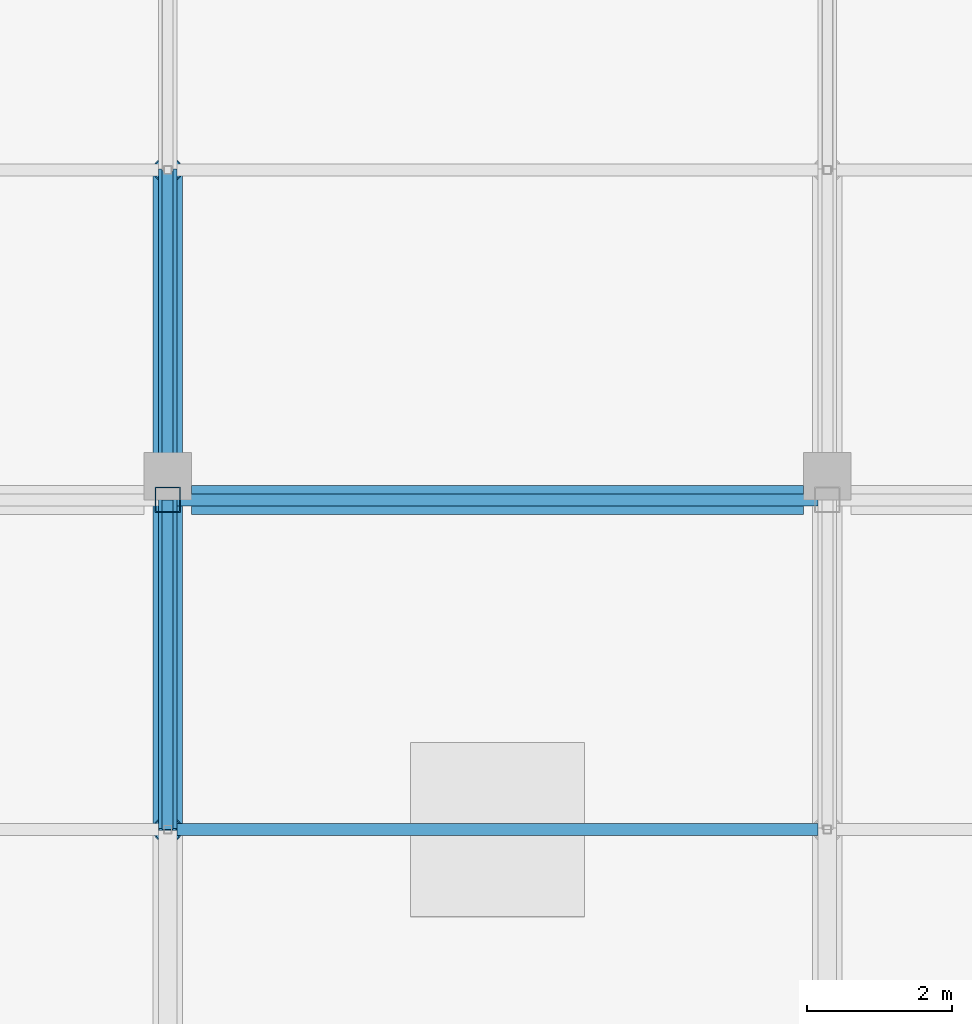
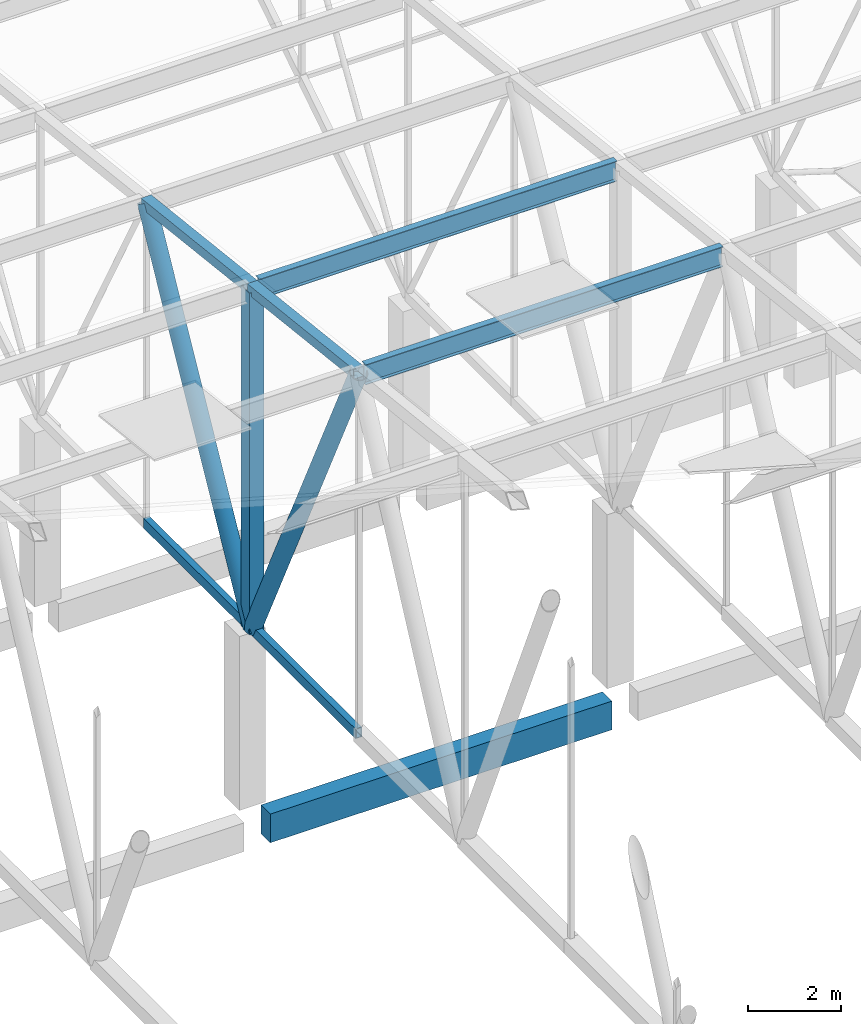
# One storey, part 301 of 500: 9 members, 1 beam.
"""IFC4 building model written with IfcOpenShell, lengths in metres."""

from ifc_helpers import new_model, si_unit, direction, frame, origin, origin_2d, place, context, subcontext, project, spatial, rectangle, hollow_rectangle, hollow_circle, i_section, extrude, material, material_profile, profile_set, type_object, element, save


model = new_model("IFC4")

# Units and contexts
model_context = context("Model", 3, precision=1e-05, world=origin(), true_north=direction((0.0, 1.0)))
body_context = subcontext(model_context, "Body", "Model", "MODEL_VIEW")
ifc_project = project(units=[si_unit("LENGTHUNIT", "METRE"), si_unit("AREAUNIT", "SQUARE_METRE"), si_unit("VOLUMEUNIT", "CUBIC_METRE"), si_unit("PLANEANGLEUNIT", "RADIAN"), si_unit("MASSUNIT", "GRAM", prefix="KILO")], contexts=[model_context])

# Site, building, storey
site_placement = place(None, origin())
site = spatial("IfcSite", under=ifc_project, at=site_placement, CompositionType="ELEMENT")
building_placement = place(site_placement, origin())
building = spatial("IfcBuilding", under=site, at=building_placement, Name="Shirokan Park Arena", CompositionType="ELEMENT")
storey_placement = place(building_placement, frame((0.0, 0.0, 29.1201171875)))
storey = spatial("IfcBuildingStorey", under=building, at=storey_placement, Name="L06", CompositionType="ELEMENT", Elevation=29.1201171875)

# Members
ifc_material_1 = material(Name="Steel ASTM A500 Grade C", Category="steel")
ifc_material_profile_1 = material_profile(ifc_material_1, hollow_rectangle(XDim=0.152099609375, YDim=0.25390625, WallThickness=0.015869140625, at=origin_2d()), Name="HSS254X152.4X15.9")
ifc_profile_set_1 = profile_set([ifc_material_profile_1], Name="Steel ASTM A500 Grade C")
member_type_1 = type_object("IfcMemberType", Name="Bottom chord HSS254X152.4X15.9", PredefinedType="CHORD", material=ifc_profile_set_1)
member_1_placement = place(storey_placement, frame((72.800048828125, 95.550048828125, 4.677001953125), z_axis=(0.0, 1.0, 0.0), x_axis=(-1.0, 0.0, 0.0)))
element("IfcMember", 1, at=member_1_placement, inside=storey, type_object=member_type_1, Name="Truss T09 bottom chord 24", PredefinedType="CHORD", context=body_context, shape_type="SweptSolid", body=[
    extrude(hollow_rectangle(XDim=0.152099609375, YDim=0.25390625, WallThickness=0.015869140625, at=origin_2d()), origin(), (0.0, 0.0, 1.0), 4.550048828125),
])
ifc_material_profile_2 = material_profile(ifc_material_1, hollow_rectangle(XDim=0.152099609375, YDim=0.25390625, WallThickness=0.009521484375, at=origin_2d()), Name="HSS254X152.4X9.5")
ifc_profile_set_2 = profile_set([ifc_material_profile_2], Name="Steel ASTM A500 Grade C")
member_type_2 = type_object("IfcMemberType", Name="Bottom chord HSS254X152.4X9.5", PredefinedType="CHORD", material=ifc_profile_set_2)
member_2_placement = place(storey_placement, frame((72.800048828125, 100.10009765625, 4.677001953125), z_axis=(0.0, 1.0, 0.0), x_axis=(-1.0, 0.0, 0.0)))
element("IfcMember", 2, at=member_2_placement, inside=storey, type_object=member_type_2, Name="Truss T09 bottom chord 25", PredefinedType="CHORD", context=body_context, shape_type="SweptSolid", body=[
    extrude(hollow_rectangle(XDim=0.152099609375, YDim=0.25390625, WallThickness=0.009521484375, at=origin_2d()), origin(), (0.0, 0.0, 1.0), 4.5498046875),
])
ifc_material_2 = material(Name="Steel ASTM A992", Category="steel")
ifc_material_profile_3 = material_profile(ifc_material_2, i_section(OverallWidth=0.166015625, OverallDepth=0.528076171875, WebThickness=0.009765625, FlangeThickness=0.013671875, at=origin_2d()), Name="W530X74")
ifc_profile_set_3 = profile_set([ifc_material_profile_3], Name="Steel ASTM A992")
member_type_3 = type_object("IfcMemberType", Name="Purlin W530X74", PredefinedType="PURLIN", material=ifc_profile_set_3)
for number, where, z_axis, x_axis, name in (
    (3, (72.927001953125, 95.550048828125, 14.0458984375), (1.0, 0.0, 0.0), (0.0, 1.0, 0.0), "Purlin 24 bay 9"),
    (4, (72.927001953125, 100.10009765625, 13.52587890625), (1.0, 0.0, 0.0), (0.0, 1.0, 0.0), "Purlin 25 bay 9"),
):
    element("IfcMember", number, at=place(storey_placement, frame(where, z_axis=z_axis, x_axis=x_axis)), inside=storey, type_object=member_type_3, Name=name, PredefinedType="PURLIN", context=body_context, shape_type="SweptSolid", body=[
        extrude(i_section(OverallWidth=0.166015625, OverallDepth=0.528076171875, WebThickness=0.009765625, FlangeThickness=0.013671875, at=origin_2d()), origin(), (0.0, 0.0, 1.0), 8.845947265625),
    ])

# Beam
ifc_material_3 = material(Name="Concrete C35", Category="concrete")
ifc_material_profile_4 = material_profile(ifc_material_3, rectangle(XDim=0.39990234375, YDim=0.75, at=origin_2d()), Name="400x750")
ifc_profile_set_4 = profile_set([ifc_material_profile_4], Name="Concrete C35")
beam_type = type_object("IfcBeamType", Name="RC girder 400x750", PredefinedType="BEAM", material=ifc_profile_set_4)
beam_placement = place(storey_placement, frame((73.125, 100.10009765625, -0.5751953125), z_axis=(1.0, 0.0, 0.0), x_axis=(0.0, 1.0, 0.0)))
element("IfcBeam", 5, at=beam_placement, inside=storey, type_object=beam_type, Name="Girder 9M-10M L06", PredefinedType="BEAM", context=body_context, shape_type="SweptSolid", body=[
    extrude(rectangle(XDim=0.39990234375, YDim=0.75, at=origin_2d()), origin(), (0.0, 0.0, 1.0), 8.449951171875),
])

# Members
ifc_material_profile_5 = material_profile(ifc_material_1, hollow_rectangle(XDim=0.25390625, YDim=0.25390625, WallThickness=0.009521484375, at=origin_2d()), Name="HSS254X254X9.5")
ifc_profile_set_5 = profile_set([ifc_material_profile_5], Name="Steel ASTM A500 Grade C")
member_type_4 = type_object("IfcMemberType", Name="Top chord HSS254X254X9.5", PredefinedType="CHORD", material=ifc_profile_set_5)
member_3_placement = place(storey_placement, frame((72.800048828125, 95.550048828125, 14.101318359375), z_axis=(0.0, 0.993532328996, -0.113549598152), x_axis=(-1.0, 0.0, 0.0)))
element("IfcMember", 6, at=member_3_placement, inside=storey, type_object=member_type_4, Name="Truss T09 top chord 24", PredefinedType="CHORD", context=body_context, shape_type="SweptSolid", body=[
    extrude(hollow_rectangle(XDim=0.25390625, YDim=0.25390625, WallThickness=0.009521484375, at=origin_2d()), origin(), (0.0, 0.0, 1.0), 4.57958984375),
])
member_4_placement = place(storey_placement, frame((72.800048828125, 100.10009765625, 13.581298828125), z_axis=(0.0, 0.993531641592, -0.11355561261), x_axis=(-1.0, 0.0, 0.0)))
element("IfcMember", 7, at=member_4_placement, inside=storey, type_object=member_type_4, Name="Truss T09 top chord 25", PredefinedType="CHORD", context=body_context, shape_type="SweptSolid", body=[
    extrude(hollow_rectangle(XDim=0.25390625, YDim=0.25390625, WallThickness=0.009521484375, at=origin_2d()), origin(), (0.0, 0.0, 1.0), 4.579345703125),
])
ifc_material_profile_6 = material_profile(ifc_material_1, hollow_circle(Radius=0.202880859375, WallThickness=0.015869140625, at=origin_2d()), Name="HSS406.4X15.9")
ifc_profile_set_6 = profile_set([ifc_material_profile_6], Name="Steel ASTM A500 Grade C")
member_type_5 = type_object("IfcMemberType", Name="Truss diagonal HSS406.4X15.9", PredefinedType="BRACE", material=ifc_profile_set_6)
member_5_placement = place(storey_placement, frame((72.800048828125, 95.550048828125, 14.101318359375), z_axis=(0.0, 0.434778423415, -0.900537463148), x_axis=(-1.0, 0.0, 0.0)))
element("IfcMember", 8, at=member_5_placement, inside=storey, type_object=member_type_5, Name="Truss T09 diagonal 24", PredefinedType="BRACE", context=body_context, shape_type="SweptSolid", body=[
    extrude(hollow_circle(Radius=0.202880859375, WallThickness=0.015869140625, at=origin_2d()), origin(), (0.0, 0.0, 1.0), 10.46533203125),
])
member_6_placement = place(storey_placement, frame((72.800048828125, 100.10009765625, 4.677001953125), z_axis=(0.0, 0.476957435823, 0.878926393058), x_axis=(-1.0, 0.0, 0.0)))
element("IfcMember", 9, at=member_6_placement, inside=storey, type_object=member_type_5, Name="Truss T09 diagonal 25", PredefinedType="BRACE", context=body_context, shape_type="SweptSolid", body=[
    extrude(hollow_circle(Radius=0.202880859375, WallThickness=0.015869140625, at=origin_2d()), origin(), (0.0, 0.0, 1.0), 9.539306640625),
])
ifc_material_profile_7 = material_profile(ifc_material_1, hollow_rectangle(XDim=0.35595703125, YDim=0.35595703125, WallThickness=0.015869140625, at=origin_2d()), Name="HSS355.6X355.6X15.9")
ifc_profile_set_7 = profile_set([ifc_material_profile_7], Name="Steel ASTM A500 Grade C")
member_type_6 = type_object("IfcMemberType", Name="Truss post HSS355.6X355.6X15.9", PredefinedType="POST", material=ifc_profile_set_7)
member_7_placement = place(storey_placement, frame((72.800048828125, 100.10009765625, 4.677001953125), z_axis=(0.0, 0.0, 1.0), x_axis=(1.0, 0.0, 0.0)))
element("IfcMember", 10, at=member_7_placement, inside=storey, type_object=member_type_6, Name="Truss T09 post 25", PredefinedType="POST", context=body_context, shape_type="SweptSolid", body=[
    extrude(hollow_rectangle(XDim=0.35595703125, YDim=0.35595703125, WallThickness=0.015869140625, at=origin_2d()), origin(), (0.0, 0.0, 1.0), 8.904296875),
])

save(model, "model.ifc")
